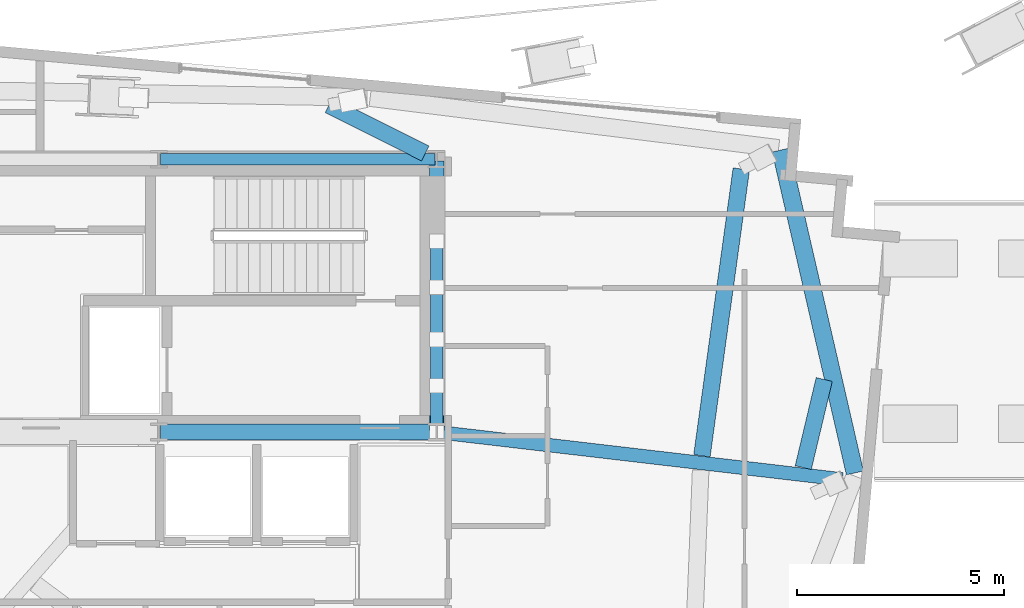
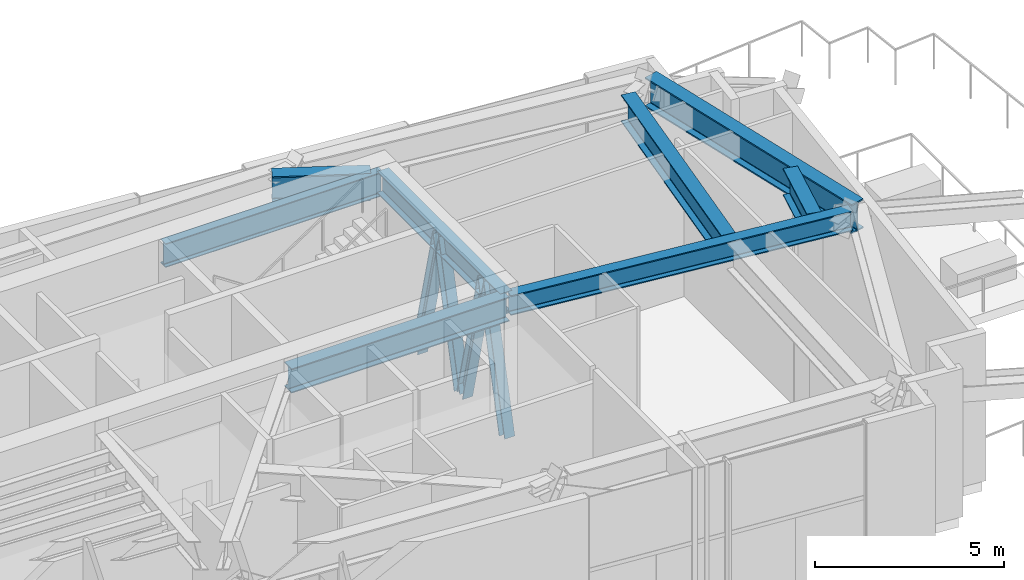
# One storey, part 10 of 20: 8 beams, 4 members.
"""IFC4 building model written with IfcOpenShell, lengths in metres."""

from ifc_helpers import new_model, si_unit, direction, frame, origin, origin_2d, place, context, subcontext, project, spatial, i_section, extrude, source, transform, mapped, material, material_profile, profile_set, type_object, type_shapes, element, save


model = new_model("IFC4")

# Units and contexts
model_context = context("Model", 3, precision=1e-05, world=origin(), true_north=direction((0.0, 1.0)))
body_context = subcontext(model_context, "Body", "Model", "MODEL_VIEW")
ifc_project = project(units=[si_unit("LENGTHUNIT", "METRE"), si_unit("AREAUNIT", "SQUARE_METRE"), si_unit("VOLUMEUNIT", "CUBIC_METRE"), si_unit("PLANEANGLEUNIT", "RADIAN"), si_unit("MASSUNIT", "GRAM", prefix="KILO")], contexts=[model_context])

# Site, building, storey
site_placement = place(None, origin())
site = spatial("IfcSite", under=ifc_project, at=site_placement, CompositionType="ELEMENT")
building_placement = place(site_placement, origin())
building = spatial("IfcBuilding", under=site, at=building_placement, Name="Astriad Promenade Condominiums", CompositionType="ELEMENT")
storey_placement = place(building_placement, frame((0.0, 0.0, 211.39990234375)))
storey = spatial("IfcBuildingStorey", under=building, at=storey_placement, Name="L61", CompositionType="ELEMENT", Elevation=211.39990234375)

# Beams
ifc_material = material(Name="Steel ASTM A992 Grade 50", Category="steel")
ifc_material_profile_1 = material_profile(ifc_material, i_section(OverallWidth=0.3837890625, OverallDepth=0.785888671875, WebThickness=0.019775390625, FlangeThickness=0.033447265625, FilletRadius=0.021484375, at=origin_2d()), Name="W30X211")
ifc_profile_set_1 = profile_set([ifc_material_profile_1], Name="Steel ASTM A992 Grade 50")
beam_type_1 = type_object("IfcBeamType", Name="STEEL FLOOR GIRDER W30X211", PredefinedType="BEAM", material=ifc_profile_set_1)
shared_shape_1 = source(origin(), body_context, "Body", "SweptSolid", [
    extrude(i_section(OverallWidth=0.3837890625, OverallDepth=0.785888671875, WebThickness=0.019775390625, FlangeThickness=0.033447265625, FilletRadius=0.021484375, at=origin_2d()), origin(), (0.0, 0.0, 1.0), 6.64013671875),
])
type_shapes(beam_type_1, [shared_shape_1])
beam_1_placement = place(storey_placement, frame((38.919921875, 17.39990234375, 4.38720703125), z_axis=(1.0, 0.0, 0.0), x_axis=(0.0, 1.0, 0.0)))
element("IfcBeam", 1, at=beam_1_placement, inside=storey, type_object=beam_type_1, Name="Core Ring Beam CG-S3-L61", PredefinedType="BEAM", context=body_context, shape_type="MappedRepresentation", body=[
    mapped(shared_shape_1, transform((0.0, 0.0, 0.0), scale=1.0)),
])
ifc_material_profile_2 = material_profile(ifc_material, i_section(OverallWidth=0.267822265625, OverallDepth=0.76953125, WebThickness=0.015625, FlangeThickness=0.025390625, FilletRadius=0.021484375, at=origin_2d()), Name="W30X132")
ifc_profile_set_2 = profile_set([ifc_material_profile_2], Name="Steel ASTM A992 Grade 50")
beam_type_2 = type_object("IfcBeamType", Name="STEEL FLOOR GIRDER W30X132", PredefinedType="BEAM", material=ifc_profile_set_2)
shared_shape_2 = source(origin(), body_context, "Body", "SweptSolid", [
    extrude(i_section(OverallWidth=0.267822265625, OverallDepth=0.76953125, WebThickness=0.015625, FlangeThickness=0.025390625, FilletRadius=0.021484375, at=origin_2d()), origin(), (0.0, 0.0, 1.0), 6.64013671875),
])
type_shapes(beam_type_2, [shared_shape_2])
beam_2_placement = place(storey_placement, frame((38.919921875, 24.0, 4.395263671875), z_axis=(1.0, 0.0, 0.0), x_axis=(0.0, 1.0, 0.0)))
element("IfcBeam", 2, at=beam_2_placement, inside=storey, type_object=beam_type_2, Name="Core Ring Beam CG-N3-L61", PredefinedType="BEAM", context=body_context, shape_type="MappedRepresentation", body=[
    mapped(shared_shape_2, transform((0.0, 0.0, 0.0), scale=1.0)),
])
ifc_material_profile_3 = material_profile(ifc_material, i_section(OverallWidth=0.35791015625, OverallDepth=0.706298828125, WebThickness=0.018310546875, FlangeThickness=0.0302734375, FilletRadius=0.020263671875, at=origin_2d()), Name="W27X178")
ifc_profile_set_3 = profile_set([ifc_material_profile_3], Name="Steel ASTM A992 Grade 50")
beam_type_3 = type_object("IfcBeamType", Name="STEEL FLOOR GIRDER W27X178", PredefinedType="BEAM", material=ifc_profile_set_3)
shared_shape_3 = source(origin(), body_context, "Body", "SweptSolid", [
    extrude(i_section(OverallWidth=0.35791015625, OverallDepth=0.706298828125, WebThickness=0.018310546875, FlangeThickness=0.0302734375, FilletRadius=0.020263671875, at=origin_2d()), origin(), (0.0, 0.0, 1.0), 6.52001953125),
])
type_shapes(beam_type_3, [shared_shape_3])
beam_3_placement = place(storey_placement, frame((45.60009765625, 17.43994140625, 4.427001953125), z_axis=(0.0, 1.0, 0.0), x_axis=(-1.0, 0.0, 0.0)))
element("IfcBeam", 3, at=beam_3_placement, inside=storey, type_object=beam_type_3, Name="Core Ring Beam CG-E1-L61", PredefinedType="BEAM", context=body_context, shape_type="MappedRepresentation", body=[
    mapped(shared_shape_3, transform((0.0, 0.0, 0.0), scale=1.0)),
])
ifc_material_profile_4 = material_profile(ifc_material, i_section(OverallWidth=0.423095703125, OverallDepth=0.9482421875, WebThickness=0.02392578125, FlangeThickness=0.042724609375, FilletRadius=0.024169921875, at=origin_2d()), Name="W36X302")
ifc_profile_set_4 = profile_set([ifc_material_profile_4], Name="Steel ASTM A992 Grade 50")
beam_type_4 = type_object("IfcBeamType", Name="STEEL PERIMETER RING GIRDER W36X302", PredefinedType="BEAM", material=ifc_profile_set_4)
shared_shape_4 = source(origin(), body_context, "Body", "SweptSolid", [
    extrude(i_section(OverallWidth=0.423095703125, OverallDepth=0.9482421875, WebThickness=0.02392578125, FlangeThickness=0.042724609375, FilletRadius=0.024169921875, at=origin_2d()), origin(), (0.0, 0.0, 1.0), 8.015625),
])
type_shapes(beam_type_4, [shared_shape_4])
beam_4_placement = place(storey_placement, frame((55.720703125, 16.409423828125, 4.305908203125), z_axis=(-0.22432559661, 0.974514251669, 0.0), x_axis=(-0.974514251669, -0.22432559661, 0.0)))
element("IfcBeam", 4, at=beam_4_placement, inside=storey, type_object=beam_type_4, Name="Perimeter Spandrel Beam SP-E2-L61", PredefinedType="BEAM", context=body_context, shape_type="MappedRepresentation", body=[
    mapped(shared_shape_4, transform((0.0, 0.0, 0.0), scale=1.0)),
])
ifc_material_profile_5 = material_profile(ifc_material, i_section(OverallWidth=0.327392578125, OverallDepth=0.640625, WebThickness=0.01904296875, FlangeThickness=0.033935546875, FilletRadius=0.017822265625, at=origin_2d()), Name="W24X176")
ifc_profile_set_5 = profile_set([ifc_material_profile_5], Name="Steel ASTM A992 Grade 50")
beam_type_5 = type_object("IfcBeamType", Name="STEEL FLOOR GIRDER W24X176", PredefinedType="BEAM", material=ifc_profile_set_5)
shared_shape_5 = source(origin(), body_context, "Body", "SweptSolid", [
    extrude(i_section(OverallWidth=0.327392578125, OverallDepth=0.640625, WebThickness=0.01904296875, FlangeThickness=0.033935546875, FilletRadius=0.017822265625, at=origin_2d()), origin(), (0.0, 0.0, 1.0), 9.843994140625),
])
type_shapes(beam_type_5, [shared_shape_5])
beam_5_placement = place(storey_placement, frame((55.4169921875, 16.25146484375, 4.459716796875), z_axis=(-0.993223879392, 0.11621671741, 0.0), x_axis=(-0.11621671741, -0.993223879392, 0.0)))
element("IfcBeam", 5, at=beam_5_placement, inside=storey, type_object=beam_type_5, Name="Primary Floor Girder PG-EM-L61", PredefinedType="BEAM", context=body_context, shape_type="MappedRepresentation", body=[
    mapped(shared_shape_5, transform((0.0, 0.0, 0.0), scale=1.0)),
])
ifc_material_profile_6 = material_profile(ifc_material, i_section(OverallWidth=0.4013671875, OverallDepth=0.877197265625, WebThickness=0.022216796875, FlangeThickness=0.039794921875, FilletRadius=0.02294921875, at=origin_2d()), Name="W33X263")
ifc_profile_set_6 = profile_set([ifc_material_profile_6], Name="Steel ASTM A992 Grade 50")
beam_type_6 = type_object("IfcBeamType", Name="STEEL TRANSFER CARRIER GIRDER W33X263", PredefinedType="BEAM", material=ifc_profile_set_6)
shared_shape_6 = source(origin(), body_context, "Body", "SweptSolid", [
    extrude(i_section(OverallWidth=0.4013671875, OverallDepth=0.877197265625, WebThickness=0.022216796875, FlangeThickness=0.039794921875, FilletRadius=0.02294921875, at=origin_2d()), origin(), (0.0, 0.0, 1.0), 2.608642578125),
])
beam_6_placement = place(storey_placement, frame((45.324462890625, 24.138427734375, 4.341552734375), z_axis=(-0.893564536956, 0.448934759508, 0.0), x_axis=(-0.448934759508, -0.893564536956, 0.0)))
element("IfcBeam", 6, at=beam_6_placement, inside=storey, type_object=beam_type_6, Name="Transfer Splice Carrier TRM-SP-PC09-L61", PredefinedType="BEAM", context=body_context, shape_type="MappedRepresentation", body=[
    mapped(shared_shape_6, transform((0.0, 0.0, 0.0), scale=1.0)),
])
shared_shape_7 = source(origin(), body_context, "Body", "SweptSolid", [
    extrude(i_section(OverallWidth=0.4013671875, OverallDepth=0.877197265625, WebThickness=0.022216796875, FlangeThickness=0.039794921875, FilletRadius=0.02294921875, at=origin_2d()), origin(), (0.0, 0.0, 1.0), 7.00537109375),
])
beam_7_placement = place(storey_placement, frame((52.018798828125, 16.823974609375, 4.341552734375), z_axis=(0.136057152161, 0.990700989878, 0.0), x_axis=(-0.990700989878, 0.136057152161, 0.0)))
element("IfcBeam", 7, at=beam_7_placement, inside=storey, type_object=beam_type_6, Name="Transfer Splice Carrier TRM-SP-PC10-L61", PredefinedType="BEAM", context=body_context, shape_type="MappedRepresentation", body=[
    mapped(shared_shape_7, transform((0.0, 0.0, 0.0), scale=1.0)),
])
shared_shape_8 = source(origin(), body_context, "Body", "SweptSolid", [
    extrude(i_section(OverallWidth=0.4013671875, OverallDepth=0.877197265625, WebThickness=0.022216796875, FlangeThickness=0.039794921875, FilletRadius=0.02294921875, at=origin_2d()), origin(), (0.0, 0.0, 1.0), 2.193115234375),
])
type_shapes(beam_type_6, [shared_shape_6, shared_shape_7, shared_shape_8])
beam_8_placement = place(storey_placement, frame((54.978515625, 18.67041015625, 4.341552734375), z_axis=(-0.231781063163, -0.972767977865, 0.0), x_axis=(0.972767977865, -0.231781063163, 0.0)))
element("IfcBeam", 8, at=beam_8_placement, inside=storey, type_object=beam_type_6, Name="Transfer Splice Carrier TRM-SP-PC12-L61", PredefinedType="BEAM", context=body_context, shape_type="MappedRepresentation", body=[
    mapped(shared_shape_8, transform((0.0, 0.0, 0.0), scale=1.0)),
])

# Members
ifc_material_profile_7 = material_profile(ifc_material, i_section(OverallWidth=0.308837890625, OverallDepth=0.32275390625, WebThickness=0.013916015625, FlangeThickness=0.02294921875, FilletRadius=0.01513671875, at=origin_2d()), Name="W12X96")
ifc_profile_set_7 = profile_set([ifc_material_profile_7], Name="Steel ASTM A992 Grade 50")
member_type = type_object("IfcMemberType", Name="STEEL TRANSFER WEB BRACE W12X96", PredefinedType="BRACE", material=ifc_profile_set_7)
shared_shape_9 = source(origin(), body_context, "Body", "SweptSolid", [
    extrude(i_section(OverallWidth=0.308837890625, OverallDepth=0.32275390625, WebThickness=0.013916015625, FlangeThickness=0.02294921875, FilletRadius=0.01513671875, at=origin_2d()), origin(), (0.0, 0.0, 1.0), 4.549072265625),
])
type_shapes(member_type, [shared_shape_9])
for number, where, z_axis, x_axis, name in (
    (9, (45.60009765625, 17.406005859375, 0.164306640625), (0.0, 0.243974924355, 0.969781540496), (-1.0, 0.0, 0.0), "Core Coupling Warren Brace L61-03A"),
    (10, (45.60009765625, 19.637939453125, 0.164306640625), (0.0, -0.243974924355, 0.969781540496), (1.0, 0.0, 0.0), "Core Coupling Warren Brace L61-03B"),
    (11, (45.60009765625, 19.781982421875, 0.164306640625), (0.0, 0.243974924355, 0.969781540496), (-1.0, 0.0, 0.0), "Core Coupling Warren Brace L61-04A"),
    (12, (45.60009765625, 22.013916015625, 0.164306640625), (0.0, -0.243974924355, 0.969781540496), (1.0, 0.0, 0.0), "Core Coupling Warren Brace L61-04B"),
):
    element("IfcMember", number, at=place(storey_placement, frame(where, z_axis=z_axis, x_axis=x_axis)), inside=storey, type_object=member_type, Name=name, PredefinedType="BRACE", context=body_context, shape_type="MappedRepresentation", body=[
        mapped(shared_shape_9, transform((0.0, 0.0, 0.0), scale=1.0)),
    ])

save(model, "model.ifc")
